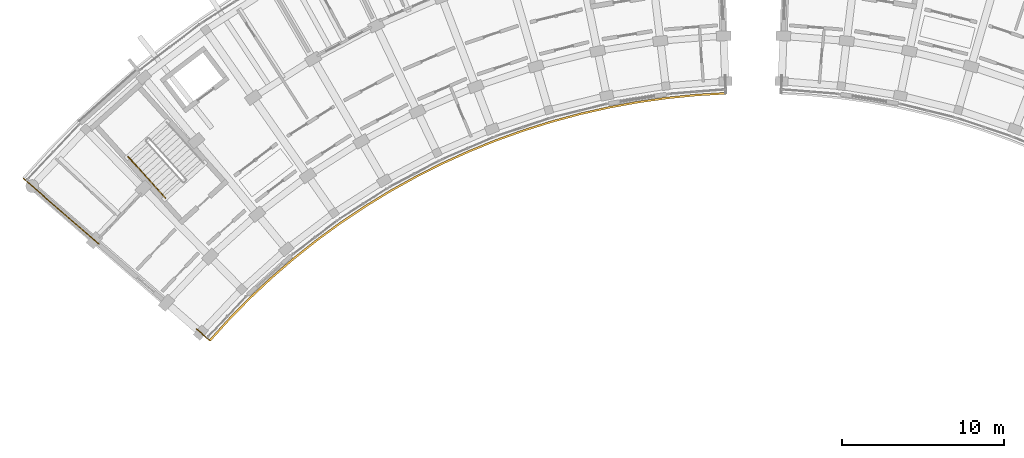
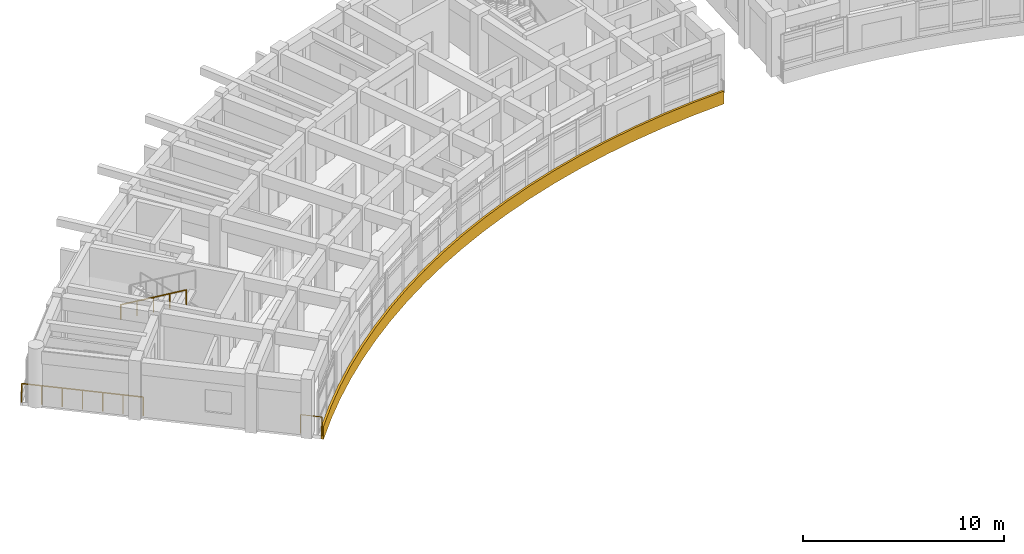
# One storey, part 73 of 83: 4 railings.
"""IFC4 building model written with IfcOpenShell, lengths in metres."""

from ifc_helpers import new_model, si_unit, direction, frame, origin, origin_2d, place, context, subcontext, project, spatial, polyline, circle, outline, extrude, material, type_object, element, save


model = new_model("IFC4")

# Units and contexts
model_context = context("Model", 3, precision=1e-05, world=origin(), true_north=direction((0.0, 1.0)))
body_context = subcontext(model_context, "Body", "Model", "MODEL_VIEW")
ifc_project = project(units=[si_unit("LENGTHUNIT", "METRE"), si_unit("AREAUNIT", "SQUARE_METRE"), si_unit("VOLUMEUNIT", "CUBIC_METRE"), si_unit("PLANEANGLEUNIT", "RADIAN"), si_unit("MASSUNIT", "GRAM", prefix="KILO")], contexts=[model_context])

# Site, building, storey
site_placement = place(None, origin())
site = spatial("IfcSite", under=ifc_project, at=site_placement, CompositionType="ELEMENT")
building_placement = place(site_placement, origin())
building = spatial("IfcBuilding", under=site, at=building_placement, Name="Zimvara Arc Housing Community", CompositionType="ELEMENT")
storey_placement = place(building_placement, frame((0.0, 0.0, 4.5)))
storey = spatial("IfcBuildingStorey", under=building, at=storey_placement, Name="L01", CompositionType="ELEMENT", Elevation=4.5)

# Railings
ifc_material_1 = material(Name="Anodised Aluminium AW-6063", Category="aluminium")
railing_type_1 = type_object("IfcRailingType", Name="RLG-BAL-1150", PredefinedType="BALUSTRADE", material=ifc_material_1)
railing_1_placement = place(storey_placement, frame((11.490966796875, 73.62890625, 0.0)))
element("IfcRailing", 1, at=railing_1_placement, inside=storey, type_object=railing_type_1, Name="rlg:blkA:L01:gable_in:g0", PredefinedType="BALUSTRADE", context=body_context, shape_type="SweptSolid", body=[
    extrude(circle(Radius=0.02392578125, at=origin_2d()), frame((0.0, 0.0, 1.1259765625), z_axis=(-0.754659042762, 0.656117161167, 0.0), x_axis=(-0.656117161167, -0.754659042762, 0.0)), (0.0, 0.0, 1.0), 1.080322265625),
    extrude(circle(Radius=0.02099609375, at=origin_2d()), origin(), (0.0, 0.0, 1.0), 1.101806640625),
    extrude(circle(Radius=0.02099609375, at=origin_2d()), frame((-0.815185546875, 0.708740234375, 0.0)), (0.0, 0.0, 1.0), 1.101806640625),
])
railing_2_placement = place(storey_placement, frame((4.668212890625, 79.559814453125, 0.0)))
element("IfcRailing", 2, at=railing_2_placement, inside=storey, type_object=railing_type_1, Name="rlg:blkA:L01:gable_out:g0", PredefinedType="BALUSTRADE", context=body_context, shape_type="SweptSolid", body=[
    extrude(circle(Radius=0.02392578125, at=origin_2d()), frame((0.0, 0.0, 1.1259765625), z_axis=(-0.754708757217, 0.656059975749, 0.0), x_axis=(-0.656059975749, -0.754708757217, 0.0)), (0.0, 0.0, 1.0), 6.159912109375),
    extrude(circle(Radius=0.02099609375, at=origin_2d()), origin(), (0.0, 0.0, 1.0), 1.101806640625),
    extrude(circle(Radius=0.02099609375, at=origin_2d()), frame((-0.77490234375, 0.673583984375, 0.0)), (0.0, 0.0, 1.0), 1.101806640625),
    extrude(circle(Radius=0.02099609375, at=origin_2d()), frame((-1.549560546875, 1.34716796875, 0.0)), (0.0, 0.0, 1.0), 1.101806640625),
    extrude(circle(Radius=0.02099609375, at=origin_2d()), frame((-2.324462890625, 2.0205078125, 0.0)), (0.0, 0.0, 1.0), 1.101806640625),
    extrude(circle(Radius=0.02099609375, at=origin_2d()), frame((-3.099365234375, 2.694091796875, 0.0)), (0.0, 0.0, 1.0), 1.101806640625),
    extrude(circle(Radius=0.02099609375, at=origin_2d()), frame((-3.8740234375, 3.36767578125, 0.0)), (0.0, 0.0, 1.0), 1.101806640625),
    extrude(circle(Radius=0.02099609375, at=origin_2d()), frame((-4.64892578125, 4.041259765625, 0.0)), (0.0, 0.0, 1.0), 1.101806640625),
])
ifc_material_2 = material(Name="Pale-Gold Anodised Aluminium AW-6063", Category="aluminium")
railing_type_2 = type_object("IfcRailingType", Name="RLG-FAS-780", PredefinedType="BALUSTRADE", material=ifc_material_2)
railing_3_placement = place(storey_placement, frame((0.0, 0.0, -0.219970703125)))
element("IfcRailing", 3, at=railing_3_placement, inside=storey, type_object=railing_type_2, Name="rlg:blkA:L01:gold_in", PredefinedType="BALUSTRADE", context=body_context, shape_type="SweptSolid", body=[
    extrude(outline(polyline([(11.55126953125, 73.576416015625), (12.766357421875, 74.91796875), (14.03515625, 76.208740234375), (15.355712890625, 77.446533203125), (16.7255859375, 78.62939453125), (18.142578125, 79.75537109375), (19.6044921875, 80.822509765625), (21.108642578125, 81.8291015625), (22.652587890625, 82.7734375), (24.234130859375, 83.654052734375), (25.849853515625, 84.46923828125), (27.497802734375, 85.2177734375), (29.1748046875, 85.8984375), (30.87841796875, 86.510009765625), (32.60546875, 87.051513671875), (34.35302734375, 87.522216796875), (36.11865234375, 87.9208984375), (37.898681640625, 88.247314453125), (39.69091796875, 88.5009765625), (41.491943359375, 88.680908203125), (43.298583984375, 88.787353515625), (43.2939453125, 88.9072265625), (41.482421875, 88.800537109375), (39.676513671875, 88.6201171875), (37.879638671875, 88.365966796875), (36.094482421875, 88.03857421875), (34.32421875, 87.638671875), (32.57177734375, 87.166748046875), (30.840087890625, 86.623779296875), (29.132080078125, 86.010498046875), (27.450439453125, 85.328125), (25.798095703125, 84.577392578125), (24.177734375, 83.760009765625), (22.59228515625, 82.877197265625), (21.0439453125, 81.93017578125), (19.53564453125, 80.9208984375), (18.06982421875, 79.850830078125), (16.64892578125, 78.721923828125), (15.275390625, 77.53564453125), (13.951416015625, 76.29443359375), (12.678955078125, 75.000244140625), (11.460693359375, 73.6552734375), (11.55126953125, 73.576416015625)])), origin(), (0.0, 0.0, 1.0), 0.780029296875),
])
ifc_material_3 = material(Name="Anodised Aluminium AW-6063", Category="aluminium")
railing_type_3 = type_object("IfcRailingType", Name="RLG-HND-900", PredefinedType="HANDRAIL", material=ifc_material_3)
railing_4_placement = place(storey_placement, frame((6.4736328125, 84.940673828125, 1.949951171875)))
element("IfcRailing", 4, at=railing_4_placement, inside=storey, type_object=railing_type_3, Name="L01 ST-A1 stair handrail 2", PredefinedType="HANDRAIL", context=body_context, shape_type="SweptSolid", body=[
    extrude(circle(Radius=0.02392578125, at=origin_2d()), frame((0.0, 0.0, 0.8759765625), z_axis=(0.602827024124, -0.669950271413, 0.433319988945), x_axis=(0.743364884473, 0.668886125235, 0.0)), (0.0, 0.0, 1.0), 3.80810546875),
    extrude(circle(Radius=0.02099609375, at=origin_2d()), origin(), (0.0, 0.0, 1.0), 0.851806640625),
    extrude(circle(Radius=0.02099609375, at=origin_2d()), frame((0.573974609375, -0.6376953125, 0.41259765625)), (0.0, 0.0, 1.0), 0.851806640625),
    extrude(circle(Radius=0.02099609375, at=origin_2d()), frame((1.14794921875, -1.275634765625, 0.8251953125)), (0.0, 0.0, 1.0), 0.851806640625),
    extrude(circle(Radius=0.02099609375, at=origin_2d()), frame((1.7216796875, -1.91357421875, 1.237548828125)), (0.0, 0.0, 1.0), 0.851806640625),
    extrude(circle(Radius=0.02099609375, at=origin_2d()), frame((2.295654296875, -2.55126953125, 1.650146484375)), (0.0, 0.0, 1.0), 0.851806640625),
])

save(model, "model.ifc")
